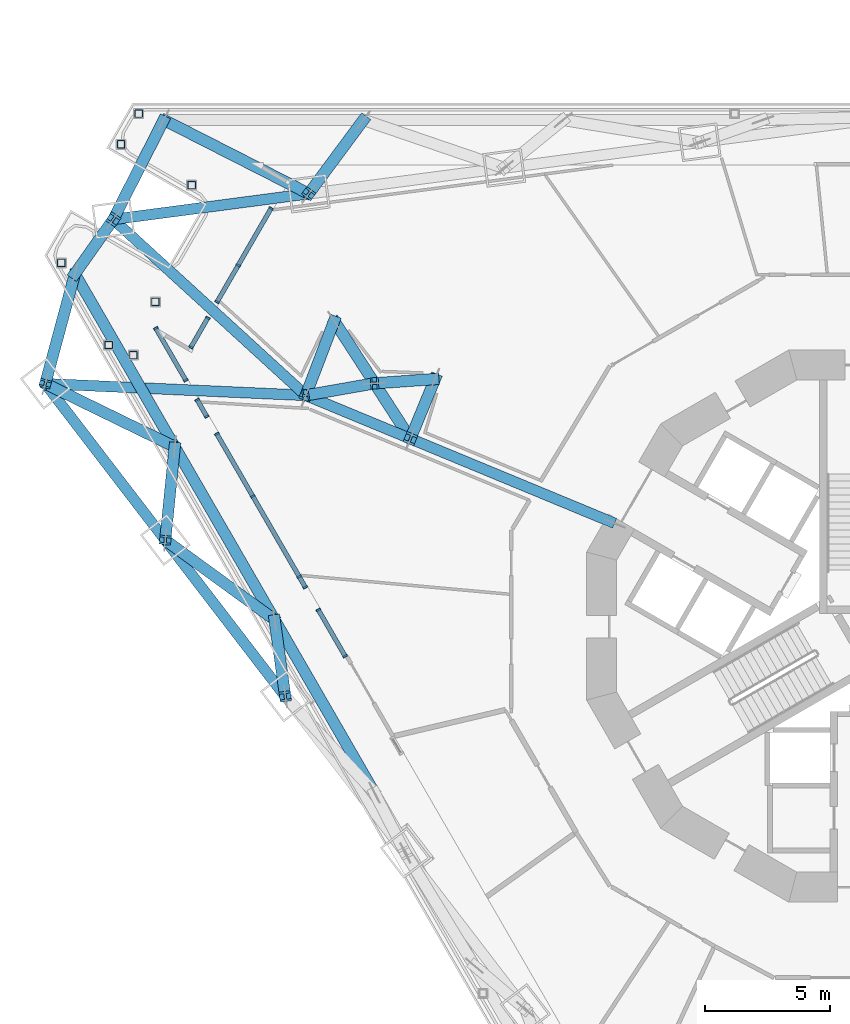
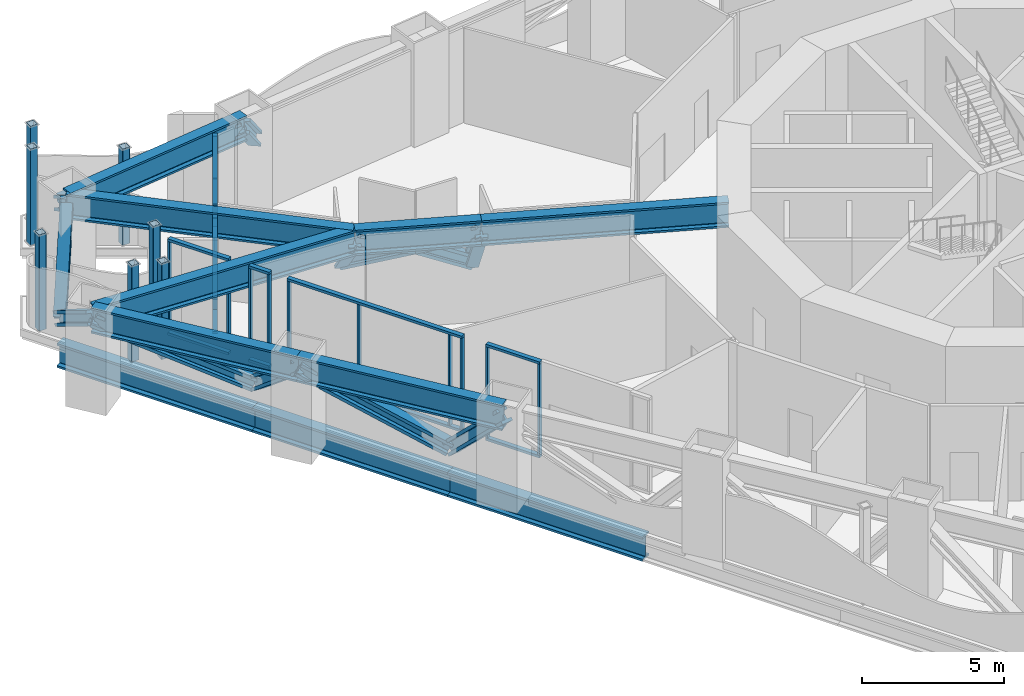
# One storey, part 3 of 28: 54 members, 4 beams, 6 elements without a shape of their own.
"""IFC4 building model written with IfcOpenShell, lengths in metres."""

import ifcopenshell
import ifcopenshell.guid

model = None  # the IFC model being written
_history = None  # IfcOwnerHistory: only IFC2X3 demands one
_inside = {}  # id of a spatial element -> (the spatial element, [elements in it])
_under = {}  # id of a project, library or spatial element -> (it, [spatial elements below it])
_declared = {}  # id of a project -> (the project, [libraries it declares])
_typed = {}  # id of a type object -> (the type object, [elements of that type])
_made_of = {}  # id of a material, layer set ... -> (it, [elements and type objects made of it])


def new_model(schema):
    """Start an empty IFC model of exactly this schema.

    Asked for "IFC4X3", IfcOpenShell would pick the latest addendum, in which some entities
    have other attributes; the version numbers below select the first issue.
    IFC2X3 requires an IfcOwnerHistory on every rooted entity: one is made here for all.
    """
    global model, _history
    if schema == "IFC4X3":
        model = ifcopenshell.file(schema_version=(4, 3, 0, 0))
    else:
        model = ifcopenshell.file(schema=schema)
    _inside.clear()
    _under.clear()
    _declared.clear()
    _typed.clear()
    _made_of.clear()
    _history = None
    if model.schema == "IFC2X3":
        org = make("IfcOrganization", Name="unknown")
        user = make(
            "IfcPersonAndOrganization",
            ThePerson=make("IfcPerson", FamilyName="unknown"),
            TheOrganization=org,
        )
        app = make(
            "IfcApplication",
            ApplicationDeveloper=org,
            Version="unknown",
            ApplicationFullName="unknown",
            ApplicationIdentifier="unknown",
        )
        _history = make(
            "IfcOwnerHistory",
            OwningUser=user,
            OwningApplication=app,
            ChangeAction="ADDED",
            CreationDate=0,
        )
    return model


def make(cls, **values):
    """One entity of the class cls with the attributes given. An attribute that is None is left unset."""
    return model.create_entity(
        cls, **{name: value for name, value in values.items() if value is not None}
    )


def rooted(cls, **values):
    """An entity with a GlobalId (a new one), such as an element, a storey or a relation."""
    return make(cls, GlobalId=ifcopenshell.guid.new(), OwnerHistory=_history, **values)


def si_unit(unit_type, name, prefix=None):
    """IfcSIUnit, for example si_unit("LENGTHUNIT", "METRE", prefix="MILLI")."""
    return make("IfcSIUnit", UnitType=unit_type, Prefix=prefix, Name=name)


def assignment(units):
    """IfcUnitAssignment: the units of a project."""
    return None if units is None else make("IfcUnitAssignment", Units=units)


def point(xyz):
    """IfcCartesianPoint."""
    return None if xyz is None else make("IfcCartesianPoint", Coordinates=xyz)


def direction(xyz):
    """IfcDirection."""
    return None if xyz is None else make("IfcDirection", DirectionRatios=xyz)


def frame(location, z_axis=None, x_axis=None):
    """IfcAxis2Placement3D, a coordinate frame: its origin and axes. An axis left out is left unset."""
    return make(
        "IfcAxis2Placement3D",
        Location=point(location),
        Axis=direction(z_axis),
        RefDirection=direction(x_axis),
    )


def frame_2d(location, x_axis=None):
    """IfcAxis2Placement2D, a coordinate frame in the plane: its origin and x axis."""
    return make(
        "IfcAxis2Placement2D", Location=point(location), RefDirection=direction(x_axis)
    )


def origin():
    """The frame at (0, 0, 0) with its axes left unset."""
    return frame((0.0, 0.0, 0.0))


def origin_2d():
    """The frame at (0, 0) in the plane with its x axis left unset."""
    return frame_2d((0.0, 0.0))


def place(relative_to, where):
    """IfcLocalPlacement: puts the frame where relative to a parent placement (None: the world)."""
    return make(
        "IfcLocalPlacement", PlacementRelTo=relative_to, RelativePlacement=where
    )


def context(
    kind, dimensions, precision=None, world=None, true_north=None, identifier=None
):
    """IfcGeometricRepresentationContext, for example the 3D "Model" context."""
    return make(
        "IfcGeometricRepresentationContext",
        ContextIdentifier=identifier,
        ContextType=kind,
        CoordinateSpaceDimension=dimensions,
        Precision=precision,
        WorldCoordinateSystem=world,
        TrueNorth=true_north,
    )


def subcontext(parent, identifier, kind, view, scale=None):
    """IfcGeometricRepresentationSubContext, for example "Body" below "Model"."""
    return make(
        "IfcGeometricRepresentationSubContext",
        ContextIdentifier=identifier,
        ContextType=kind,
        ParentContext=parent,
        TargetScale=scale,
        TargetView=view,
    )


def project(units=None, contexts=None):
    """IfcProject with its units and contexts."""
    return rooted(
        "IfcProject",
        Name="project",
        RepresentationContexts=contexts,
        UnitsInContext=assignment(units),
    )


def spatial(cls, under=None, at=None, **own):
    """A site, building, storey or space (cls), placed at a placement, below another one or the project."""
    s = rooted(cls, ObjectPlacement=at, **own)
    if under is not None:
        _under.setdefault(under.id(), (under, []))[1].append(s)
    return s


def profile(cls, at=None, kind="AREA", **sizes):
    """A parametric profile (cls). Its sizes go by their IFC names, for example OverallWidth=200.0."""
    return make(cls, ProfileType=kind, Position=at, **sizes)


def rectangle(**sizes):
    """IfcRectangleProfileDef."""
    return profile("IfcRectangleProfileDef", **sizes)


def hollow_rectangle(**sizes):
    """IfcRectangleHollowProfileDef."""
    return profile("IfcRectangleHollowProfileDef", **sizes)


def i_section(**sizes):
    """IfcIShapeProfileDef."""
    return profile("IfcIShapeProfileDef", **sizes)


def extrude(swept, where, along, depth):
    """IfcExtrudedAreaSolid: the profile swept, set in the frame where, extruded along a direction by depth."""
    return make(
        "IfcExtrudedAreaSolid",
        SweptArea=swept,
        Position=where,
        ExtrudedDirection=direction(along),
        Depth=depth,
    )


def shape(context_of_items, identifier, shape_type, items):
    """IfcShapeRepresentation: the items that make up one representation, for example the "Body"."""
    return make(
        "IfcShapeRepresentation",
        ContextOfItems=context_of_items,
        RepresentationIdentifier=identifier,
        RepresentationType=shape_type,
        Items=items,
    )


def material(Name=None, Category=None):
    """IfcMaterial."""
    return make("IfcMaterial", Name=Name, Category=Category)


def layer(
    of_material, thickness, ventilated=None, Name=None, Category=None, Priority=None
):
    """IfcMaterialLayer: one layer of a wall or slab, of a material (None: an air gap)."""
    return make(
        "IfcMaterialLayer",
        Material=of_material,
        LayerThickness=thickness,
        IsVentilated=ventilated,
        Name=Name,
        Category=Category,
        Priority=Priority,
    )


def layer_set(layers, Name=None):
    """IfcMaterialLayerSet."""
    return make("IfcMaterialLayerSet", MaterialLayers=layers, LayerSetName=Name)


def material_profile(
    of_material, cross_section, Name=None, Category=None, Priority=None
):
    """IfcMaterialProfile: a cross section and its material."""
    return make(
        "IfcMaterialProfile",
        Name=Name,
        Material=of_material,
        Profile=cross_section,
        Priority=Priority,
        Category=Category,
    )


def profile_set(profiles, Name=None, composite=None):
    """IfcMaterialProfileSet."""
    return make(
        "IfcMaterialProfileSet",
        Name=Name,
        MaterialProfiles=profiles,
        CompositeProfile=composite,
    )


def made_of(thing, what):
    """Note that an element or type object is made of a material, layer set ...; save() writes the relation."""
    if what is not None:
        _made_of.setdefault(what.id(), (what, []))[1].append(thing)
    return thing


def type_object(cls, material=None, **own):
    """A type object (cls), such as IfcWallType, which elements share."""
    return made_of(rooted(cls, **own), material)


def element(
    cls,
    number,
    at=None,
    inside=None,
    cuts=None,
    type_object=None,
    material=None,
    context=None,
    identifier="Body",
    shape_type=None,
    held_by="IfcProductDefinitionShape",
    body=None,
    shapes=None,
    **own,
):
    """One element of the class cls, such as IfcWall. Its Tag is "e" and its number.

    at: its placement. inside: the storey or other place that contains it. cuts: it is an
    opening in that element (IfcRelVoidsElement). A single representation is given by context,
    identifier, shape_type and body (its items); several are given by shapes. held_by: the class
    of the entity that holds the representations. save() writes the other relations.
    """
    e = rooted(cls, Tag="e%d" % number, ObjectPlacement=at, **own)
    if body is not None:
        shapes = [shape(context, identifier, shape_type, body)]
    if shapes is not None:
        e.Representation = make(held_by, Representations=shapes)
    if inside is not None:
        _inside.setdefault(inside.id(), (inside, []))[1].append(e)
    if cuts is not None:
        rooted(
            "IfcRelVoidsElement", RelatingBuildingElement=cuts, RelatedOpeningElement=e
        )
    if type_object is not None:
        _typed.setdefault(type_object.id(), (type_object, []))[1].append(e)
    return made_of(e, material)


def aggregate(whole, parts):
    """IfcRelAggregates: a whole, such as a stair, and the parts it consists of."""
    return rooted("IfcRelAggregates", RelatingObject=whole, RelatedObjects=parts)


def save(model, path):
    """Write the relations noted so far, then the file.

    IfcRelAggregates (storeys below a building ...), IfcRelContainedInSpatialStructure (elements
    in a storey), IfcRelDefinesByType, IfcRelAssociatesMaterial and IfcRelDeclares: one each for
    every whole, place, type object, material and project.
    """
    for whole, parts in _under.values():
        aggregate(whole, parts)
    for where, things in _inside.values():
        rooted(
            "IfcRelContainedInSpatialStructure",
            RelatedElements=things,
            RelatingStructure=where,
        )
    for kind, things in _typed.values():
        rooted("IfcRelDefinesByType", RelatedObjects=things, RelatingType=kind)
    for what, things in _made_of.values():
        rooted("IfcRelAssociatesMaterial", RelatedObjects=things, RelatingMaterial=what)
    for by, libraries in _declared.values():
        rooted("IfcRelDeclares", RelatingContext=by, RelatedDefinitions=libraries)
    model.write(path)


model = new_model("IFC4")

# Units and contexts
model_context = context("Model", 3, precision=1e-05, world=origin(), true_north=direction((0.0, 1.0)))
body_context = subcontext(model_context, "Body", "Model", "MODEL_VIEW")
ifc_project = project(units=[si_unit("LENGTHUNIT", "METRE"), si_unit("AREAUNIT", "SQUARE_METRE"), si_unit("VOLUMEUNIT", "CUBIC_METRE"), si_unit("PLANEANGLEUNIT", "RADIAN"), si_unit("MASSUNIT", "GRAM", prefix="KILO")], contexts=[model_context])

# Site, building, storey
site_placement = place(None, origin())
site = spatial("IfcSite", under=ifc_project, at=site_placement, CompositionType="ELEMENT")
building_placement = place(site_placement, origin())
building = spatial("IfcBuilding", under=site, at=building_placement, Name="Trine Commons Tower", CompositionType="ELEMENT")
storey_placement = place(building_placement, frame((0.0, 0.0, 45.89990234375)))
storey = spatial("IfcBuildingStorey", under=building, at=storey_placement, Name="L10", CompositionType="ELEMENT", Elevation=45.89990234375)

# Curtain wall, members
ifc_material_1 = material(Name="Sky lounge glazing: anodised aluminium frame with low-emissivity double glazed unit, solar control", Category="aluminium")
ifc_layer = layer(ifc_material_1, 0.179931640625)
ifc_layer_set = layer_set([ifc_layer], Name="Sky lounge glazing: anodised aluminium frame with low-emissivity double glazed unit, solar control")
curtain_wall_type = type_object("IfcCurtainWallType", Name="Sky lounge glazing curtain wall CW5", PredefinedType="NOTDEFINED", material=ifc_layer_set)
curtain_wall_1_placement = place(storey_placement, origin())
curtain_wall_1 = element("IfcCurtainWall", 1, at=curtain_wall_1_placement, inside=storey, type_object=curtain_wall_type, Name="Sky lounge glazing L10 P1.1", PredefinedType="NOTDEFINED")
ifc_material_2 = material(Name="Anodised aluminium, bronze finish", Category="aluminium")
ifc_material_profile_1 = material_profile(ifc_material_2, rectangle(XDim=0.179931640625, YDim=0.074951171875, at=origin_2d()), Name="Mullion 75x180")
ifc_profile_set_1 = profile_set([ifc_material_profile_1], Name="Anodised aluminium, bronze finish")
member_type_1 = type_object("IfcMemberType", Name="Mullion 75x180, Anodised aluminium, bronze finish", PredefinedType="MULLION", material=ifc_profile_set_1)
member_1_placement = place(storey_placement, frame((53.21240234375, 73.62109375, 0.110107421875), z_axis=(0.0, 0.0, 1.0), x_axis=(-0.866025403784, 0.5, 0.0)))
member_1 = element("IfcMember", 2, at=member_1_placement, type_object=member_type_1, Name="CW5 mullion 1.1", PredefinedType="MULLION", context=body_context, shape_type="SweptSolid", body=[
    extrude(rectangle(XDim=0.179931640625, YDim=0.074951171875, at=origin_2d()), origin(), (0.0, 0.0, 1.0), 3.929931640625),
])
member_2_placement = place(storey_placement, frame((53.885009765625, 74.785888671875, 0.110107421875), z_axis=(0.0, 0.0, 1.0), x_axis=(-0.866025403784, 0.5, 0.0)))
member_2 = element("IfcMember", 3, at=member_2_placement, type_object=member_type_1, Name="CW5 mullion 2.1", PredefinedType="MULLION", context=body_context, shape_type="SweptSolid", body=[
    extrude(rectangle(XDim=0.179931640625, YDim=0.074951171875, at=origin_2d()), origin(), (0.0, 0.0, 1.0), 3.929931640625),
])

curtain_wall_2_placement = place(storey_placement, origin())
curtain_wall_2 = element("IfcCurtainWall", 4, at=curtain_wall_2_placement, inside=storey, type_object=curtain_wall_type, Name="Sky lounge glazing L10 P1.2", PredefinedType="NOTDEFINED")
member_3_placement = place(storey_placement, frame((54.2529296875, 75.42333984375, 0.110107421875), z_axis=(0.0, 0.0, 1.0), x_axis=(-0.866025403784, 0.5, 0.0)))
member_3 = element("IfcMember", 5, at=member_3_placement, type_object=member_type_1, Name="CW5 mullion 1.1", PredefinedType="MULLION", context=body_context, shape_type="SweptSolid", body=[
    extrude(rectangle(XDim=0.179931640625, YDim=0.074951171875, at=origin_2d()), origin(), (0.0, 0.0, 1.0), 3.929931640625),
])
member_4_placement = place(storey_placement, frame((55.09375, 76.879638671875, 0.110107421875), z_axis=(0.0, 0.0, 1.0), x_axis=(-0.866025403784, 0.5, 0.0)))
member_4 = element("IfcMember", 6, at=member_4_placement, type_object=member_type_1, Name="CW5 mullion 2.1", PredefinedType="MULLION", context=body_context, shape_type="SweptSolid", body=[
    extrude(rectangle(XDim=0.179931640625, YDim=0.074951171875, at=origin_2d()), origin(), (0.0, 0.0, 1.0), 3.929931640625),
])
member_5_placement = place(storey_placement, frame((56.406005859375, 79.152587890625, 0.110107421875), z_axis=(0.0, 0.0, 1.0), x_axis=(-0.866025403784, 0.5, 0.0)))
member_5 = element("IfcMember", 7, at=member_5_placement, type_object=member_type_1, Name="CW5 mullion 3.1", PredefinedType="MULLION", context=body_context, shape_type="SweptSolid", body=[
    extrude(rectangle(XDim=0.179931640625, YDim=0.074951171875, at=origin_2d()), origin(), (0.0, 0.0, 1.0), 3.929931640625),
])

curtain_wall_3_placement = place(storey_placement, origin())
curtain_wall_3 = element("IfcCurtainWall", 8, at=curtain_wall_3_placement, inside=storey, type_object=curtain_wall_type, Name="Sky lounge glazing L10 F3.2", PredefinedType="NOTDEFINED")
member_6_placement = place(storey_placement, frame((59.3583984375, 61.30322265625, 0.110107421875), z_axis=(0.0, 0.0, 1.0), x_axis=(-0.866025403784, -0.5, 0.0)))
member_6 = element("IfcMember", 9, at=member_6_placement, type_object=member_type_1, Name="CW5 mullion 1.1", PredefinedType="MULLION", context=body_context, shape_type="SweptSolid", body=[
    extrude(rectangle(XDim=0.179931640625, YDim=0.074951171875, at=origin_2d()), origin(), (0.0, 0.0, 1.0), 3.929931640625),
])
member_7_placement = place(storey_placement, frame((58.29541015625, 63.14404296875, 0.110107421875), z_axis=(0.0, 0.0, 1.0), x_axis=(-0.866025403784, -0.5, 0.0)))
member_7 = element("IfcMember", 10, at=member_7_placement, type_object=member_type_1, Name="CW5 mullion 2.1", PredefinedType="MULLION", context=body_context, shape_type="SweptSolid", body=[
    extrude(rectangle(XDim=0.179931640625, YDim=0.074951171875, at=origin_2d()), origin(), (0.0, 0.0, 1.0), 3.929931640625),
])

curtain_wall_4_placement = place(storey_placement, origin())
curtain_wall_4 = element("IfcCurtainWall", 11, at=curtain_wall_4_placement, inside=storey, type_object=curtain_wall_type, Name="Sky lounge glazing L10 F3.3", PredefinedType="NOTDEFINED")
member_8_placement = place(storey_placement, frame((57.77490234375, 64.045654296875, 0.110107421875), z_axis=(0.0, 0.0, 1.0), x_axis=(-0.866025403784, -0.5, 0.0)))
member_8 = element("IfcMember", 12, at=member_8_placement, type_object=member_type_1, Name="CW5 mullion 1.1", PredefinedType="MULLION", context=body_context, shape_type="SweptSolid", body=[
    extrude(rectangle(XDim=0.179931640625, YDim=0.074951171875, at=origin_2d()), origin(), (0.0, 0.0, 1.0), 3.929931640625),
])
member_9_placement = place(storey_placement, frame((57.527587890625, 64.47412109375, 0.110107421875), z_axis=(0.0, 0.0, 1.0), x_axis=(-0.866025403784, -0.5, 0.0)))
member_9 = element("IfcMember", 13, at=member_9_placement, type_object=member_type_1, Name="CW5 mullion 2.1", PredefinedType="MULLION", context=body_context, shape_type="SweptSolid", body=[
    extrude(rectangle(XDim=0.179931640625, YDim=0.074951171875, at=origin_2d()), origin(), (0.0, 0.0, 1.0), 3.929931640625),
])
member_10_placement = place(storey_placement, frame((55.677978515625, 67.677490234375, 0.110107421875), z_axis=(0.0, 0.0, 1.0), x_axis=(-0.866025403784, -0.5, 0.0)))
member_10 = element("IfcMember", 14, at=member_10_placement, type_object=member_type_1, Name="CW5 mullion 3.1", PredefinedType="MULLION", context=body_context, shape_type="SweptSolid", body=[
    extrude(rectangle(XDim=0.179931640625, YDim=0.074951171875, at=origin_2d()), origin(), (0.0, 0.0, 1.0), 3.929931640625),
])
member_11_placement = place(storey_placement, frame((54.24560546875, 70.158935546875, 0.110107421875), z_axis=(0.0, 0.0, 1.0), x_axis=(-0.866025403784, -0.5, 0.0)))
member_11 = element("IfcMember", 15, at=member_11_placement, type_object=member_type_1, Name="CW5 mullion 4.1", PredefinedType="MULLION", context=body_context, shape_type="SweptSolid", body=[
    extrude(rectangle(XDim=0.179931640625, YDim=0.074951171875, at=origin_2d()), origin(), (0.0, 0.0, 1.0), 3.929931640625),
])

curtain_wall_5_placement = place(storey_placement, origin())
curtain_wall_5 = element("IfcCurtainWall", 16, at=curtain_wall_5_placement, inside=storey, type_object=curtain_wall_type, Name="Sky lounge glazing L10 F3.4", PredefinedType="NOTDEFINED")
member_12_placement = place(storey_placement, frame((53.841796875, 70.85791015625, 0.110107421875), z_axis=(0.0, 0.0, 1.0), x_axis=(-0.866025403784, -0.5, 0.0)))
member_12 = element("IfcMember", 17, at=member_12_placement, type_object=member_type_1, Name="CW5 mullion 1.1", PredefinedType="MULLION", context=body_context, shape_type="SweptSolid", body=[
    extrude(rectangle(XDim=0.179931640625, YDim=0.074951171875, at=origin_2d()), origin(), (0.0, 0.0, 1.0), 3.929931640625),
])
member_13_placement = place(storey_placement, frame((53.459716796875, 71.52001953125, 0.110107421875), z_axis=(0.0, 0.0, 1.0), x_axis=(-0.866025403784, -0.5, 0.0)))
member_13 = element("IfcMember", 18, at=member_13_placement, type_object=member_type_1, Name="CW5 mullion 2.1", PredefinedType="MULLION", context=body_context, shape_type="SweptSolid", body=[
    extrude(rectangle(XDim=0.179931640625, YDim=0.074951171875, at=origin_2d()), origin(), (0.0, 0.0, 1.0), 3.929931640625),
])

curtain_wall_6_placement = place(storey_placement, origin())
curtain_wall_6 = element("IfcCurtainWall", 19, at=curtain_wall_6_placement, inside=storey, type_object=curtain_wall_type, Name="Sky lounge glazing L10 F3.5", PredefinedType="NOTDEFINED")
member_14_placement = place(storey_placement, frame((53.01025390625, 72.29833984375, 0.110107421875), z_axis=(0.0, 0.0, 1.0), x_axis=(-0.866025403784, -0.5, 0.0)))
member_14 = element("IfcMember", 20, at=member_14_placement, type_object=member_type_1, Name="CW5 mullion 1.1", PredefinedType="MULLION", context=body_context, shape_type="SweptSolid", body=[
    extrude(rectangle(XDim=0.179931640625, YDim=0.074951171875, at=origin_2d()), origin(), (0.0, 0.0, 1.0), 3.929931640625),
])
member_15_placement = place(storey_placement, frame((51.81103515625, 74.37548828125, 0.110107421875), z_axis=(0.0, 0.0, 1.0), x_axis=(-0.866025403784, -0.5, 0.0)))
member_15 = element("IfcMember", 21, at=member_15_placement, type_object=member_type_1, Name="CW5 mullion 2.1", PredefinedType="MULLION", context=body_context, shape_type="SweptSolid", body=[
    extrude(rectangle(XDim=0.179931640625, YDim=0.074951171875, at=origin_2d()), origin(), (0.0, 0.0, 1.0), 3.929931640625),
])

# Beams
ifc_material_3 = material(Name="Structural steel ASTM A992 Gr50", Category="steel")
ifc_material_profile_2 = material_profile(ifc_material_3, i_section(OverallWidth=0.42529296875, OverallDepth=1.09228515625, WebThickness=0.04541015625, FlangeThickness=0.08203125, FilletRadius=0.030029296875, at=origin_2d()), Name="W40X593")
ifc_profile_set_2 = profile_set([ifc_material_profile_2], Name="Structural steel ASTM A992 Gr50")
beam_type = type_object("IfcBeamType", Name="Steel beam W40X593, ASTM A992 Gr50", PredefinedType="BEAM", material=ifc_profile_set_2)
for number, where, z_axis, x_axis, name in (
    (22, (47.4033203125, 72.16552734375, 3.60400390625), (0.998993990037, -0.044844262403, 0.0), (0.044844262403, 0.998993990037, 0.0), "Transfer truss girder T1-UV-01"),
    (23, (50.1162109375, 78.71484375, 3.60400390625), (0.738103639023, -0.674687348378, 0.0), (0.674687348378, 0.738103639023, 0.0), "Transfer truss girder T1-UV-02"),
):
    element("IfcBeam", number, at=place(storey_placement, frame(where, z_axis=z_axis, x_axis=x_axis)), inside=storey, type_object=beam_type, Name=name, PredefinedType="BEAM", context=body_context, shape_type="SweptSolid", body=[
        extrude(i_section(OverallWidth=0.42529296875, OverallDepth=1.09228515625, WebThickness=0.04541015625, FlangeThickness=0.08203125, FilletRadius=0.030029296875, at=origin_2d()), origin(), (0.0, 0.0, 1.0), 10.3984375),
    ])
beam_1_placement = place(storey_placement, frame((70.1083984375, 66.59716796875, 3.60400390625), z_axis=(-0.92387540704, 0.382693391981, 0.0), x_axis=(-0.382693391981, -0.92387540704, 0.0)))
element("IfcBeam", 24, at=beam_1_placement, inside=storey, type_object=beam_type, Name="Transfer truss girder T1-UR-05", PredefinedType="BEAM", context=body_context, shape_type="SweptSolid", body=[
    extrude(i_section(OverallWidth=0.42529296875, OverallDepth=1.09228515625, WebThickness=0.04541015625, FlangeThickness=0.08203125, FilletRadius=0.030029296875, at=origin_2d()), origin(), (0.0, 0.0, 1.0), 8.81591796875),
])
beam_2_placement = place(storey_placement, frame((61.963623046875, 69.970947265625, 3.60400390625), z_axis=(-0.923877808151, 0.382687595313, 0.0), x_axis=(-0.382687595313, -0.923877808151, 0.0)))
element("IfcBeam", 25, at=beam_2_placement, inside=storey, type_object=beam_type, Name="Transfer truss girder T1-UR-06", PredefinedType="BEAM", context=body_context, shape_type="SweptSolid", body=[
    extrude(i_section(OverallWidth=0.42529296875, OverallDepth=1.09228515625, WebThickness=0.04541015625, FlangeThickness=0.08203125, FilletRadius=0.030029296875, at=origin_2d()), origin(), (0.0, 0.0, 1.0), 4.51611328125),
])

# Members
ifc_material_profile_3 = material_profile(ifc_material_3, i_section(OverallWidth=0.4541015625, OverallDepth=0.568359375, WebThickness=0.077880859375, FlangeThickness=0.124755859375, FilletRadius=0.015380859375, at=origin_2d()), Name="W14X730")
ifc_profile_set_3 = profile_set([ifc_material_profile_3], Name="Structural steel ASTM A992 Gr50")
member_type_2 = type_object("IfcMemberType", Name="Steel brace W14X730, ASTM A992 Gr50", PredefinedType="BRACE", material=ifc_profile_set_3)
member_16_placement = place(storey_placement, frame((56.547119140625, 62.75244140625, 0.520751953125), z_axis=(0.097726010092, -0.700975748403, 0.706457802776), x_axis=(0.990421241056, 0.138078837134, 0.0)))
element("IfcMember", 26, at=member_16_placement, inside=storey, type_object=member_type_2, Name="Transfer truss brace T1-DG-11", PredefinedType="BRACE", context=body_context, shape_type="SweptSolid", body=[
    extrude(i_section(OverallWidth=0.4541015625, OverallDepth=0.568359375, WebThickness=0.077880859375, FlangeThickness=0.124755859375, FilletRadius=0.015380859375, at=origin_2d()), origin(), (0.0, 0.0, 1.0), 4.364501953125),
])
member_17_placement = place(storey_placement, frame((52.5654296875, 69.64892578125, 0.520751953125), z_axis=(-0.077784483491, -0.767567610407, 0.636230726689), x_axis=(0.99490442387, -0.10082255385, 0.0)))
element("IfcMember", 27, at=member_17_placement, inside=storey, type_object=member_type_2, Name="Transfer truss brace T1-DG-13", PredefinedType="BRACE", context=body_context, shape_type="SweptSolid", body=[
    extrude(i_section(OverallWidth=0.4541015625, OverallDepth=0.568359375, WebThickness=0.077880859375, FlangeThickness=0.124755859375, FilletRadius=0.015380859375, at=origin_2d()), origin(), (0.0, 0.0, 1.0), 4.84619140625),
])
member_18_placement = place(storey_placement, frame((56.547119140625, 62.75244140625, 0.520751953125), z_axis=(-0.701584716695, 0.511343770438, 0.496292689584), x_axis=(-0.589000367025, -0.8081327661, 0.0)))
element("IfcMember", 28, at=member_18_placement, inside=storey, type_object=member_type_2, Name="Transfer truss brace T1-DG-14", PredefinedType="BRACE", context=body_context, shape_type="SweptSolid", body=[
    extrude(i_section(OverallWidth=0.4541015625, OverallDepth=0.568359375, WebThickness=0.077880859375, FlangeThickness=0.124755859375, FilletRadius=0.015380859375, at=origin_2d()), origin(), (0.0, 0.0, 1.0), 6.212646484375),
])
member_19_placement = place(storey_placement, frame((48.583740234375, 76.54541015625, 0.520751953125), z_axis=(-0.215215954049, -0.798546890515, 0.562143181735), x_axis=(0.965548171325, -0.260224381737, 0.0)))
element("IfcMember", 29, at=member_19_placement, inside=storey, type_object=member_type_2, Name="Transfer truss brace T1-DG-15", PredefinedType="BRACE", context=body_context, shape_type="SweptSolid", body=[
    extrude(i_section(OverallWidth=0.4541015625, OverallDepth=0.568359375, WebThickness=0.077880859375, FlangeThickness=0.124755859375, FilletRadius=0.015380859375, at=origin_2d()), origin(), (0.0, 0.0, 1.0), 5.48486328125),
])
member_20_placement = place(storey_placement, frame((52.5654296875, 69.64892578125, 0.520751953125), z_axis=(-0.791951638447, 0.386087660287, 0.473021057602), x_axis=(-0.438212551774, -0.898871380937, 0.0)))
element("IfcMember", 30, at=member_20_placement, inside=storey, type_object=member_type_2, Name="Transfer truss brace T1-DG-16", PredefinedType="BRACE", context=body_context, shape_type="SweptSolid", body=[
    extrude(i_section(OverallWidth=0.4541015625, OverallDepth=0.568359375, WebThickness=0.077880859375, FlangeThickness=0.124755859375, FilletRadius=0.015380859375, at=origin_2d()), origin(), (0.0, 0.0, 1.0), 6.518310546875),
])
member_21_placement = place(storey_placement, frame((48.583740234375, 76.54541015625, 0.520751953125), z_axis=(0.37656876799, 0.533087473692, 0.757636923841), x_axis=(-0.816771670471, 0.576961037086, 0.0)))
element("IfcMember", 31, at=member_21_placement, inside=storey, type_object=member_type_2, Name="Transfer truss brace T1-DG-17", PredefinedType="BRACE", context=body_context, shape_type="SweptSolid", body=[
    extrude(i_section(OverallWidth=0.4541015625, OverallDepth=0.568359375, WebThickness=0.077880859375, FlangeThickness=0.124755859375, FilletRadius=0.015380859375, at=origin_2d()), origin(), (0.0, 0.0, 1.0), 4.069580078125),
])
member_22_placement = place(storey_placement, frame((52.128173828125, 82.6845703125, 0.520751953125), z_axis=(-0.371611033831, -0.733211431877, 0.569478915939), x_axis=(0.891978265353, -0.452078283196, 0.0)))
element("IfcMember", 32, at=member_22_placement, inside=storey, type_object=member_type_2, Name="Transfer truss brace T1-DG-18", PredefinedType="BRACE", context=body_context, shape_type="SweptSolid", body=[
    extrude(i_section(OverallWidth=0.4541015625, OverallDepth=0.568359375, WebThickness=0.077880859375, FlangeThickness=0.124755859375, FilletRadius=0.015380859375, at=origin_2d()), origin(), (0.0, 0.0, 1.0), 5.4140625),
])
member_23_placement = place(storey_placement, frame((60.091552734375, 82.6845703125, 0.520751953125), z_axis=(-0.455710588408, -0.614666356911, 0.643826940485), x_axis=(0.803305726314, -0.595566881274, 0.0)))
element("IfcMember", 33, at=member_23_placement, inside=storey, type_object=member_type_2, Name="Transfer truss brace T1-DG-19", PredefinedType="BRACE", context=body_context, shape_type="SweptSolid", body=[
    extrude(i_section(OverallWidth=0.4541015625, OverallDepth=0.568359375, WebThickness=0.077880859375, FlangeThickness=0.124755859375, FilletRadius=0.015380859375, at=origin_2d()), origin(), (0.0, 0.0, 1.0), 4.7890625),
])
member_24_placement = place(storey_placement, frame((52.128173828125, 82.6845703125, 0.520751953125), z_axis=(0.80485062839, -0.409818152223, 0.429260466487), x_axis=(0.453749879032, 0.891129085643, 0.0)))
element("IfcMember", 34, at=member_24_placement, inside=storey, type_object=member_type_2, Name="Transfer truss brace T1-DG-20", PredefinedType="BRACE", context=body_context, shape_type="SweptSolid", body=[
    extrude(i_section(OverallWidth=0.4541015625, OverallDepth=0.568359375, WebThickness=0.077880859375, FlangeThickness=0.124755859375, FilletRadius=0.015380859375, at=origin_2d()), origin(), (0.0, 0.0, 1.0), 7.1826171875),
])
member_25_placement = place(storey_placement, frame((62.94189453125, 72.348388671875, 0.520751953125), z_axis=(-0.243688483237, -0.592223221802, 0.768041391265), x_axis=(0.924770507704, -0.38052530544, 0.0)))
element("IfcMember", 35, at=member_25_placement, inside=storey, type_object=member_type_2, Name="Transfer truss brace T1-DG-57", PredefinedType="BRACE", context=body_context, shape_type="SweptSolid", body=[
    extrude(i_section(OverallWidth=0.4541015625, OverallDepth=0.568359375, WebThickness=0.077880859375, FlangeThickness=0.124755859375, FilletRadius=0.015380859375, at=origin_2d()), origin(), (0.0, 0.0, 1.0), 4.014404296875),
])
member_26_placement = place(storey_placement, frame((58.9228515625, 74.6689453125, 0.520751953125), z_axis=(0.475911757824, -0.735284621101, 0.48256038455), x_axis=(0.839497581322, 0.543363424381, 0.0)))
element("IfcMember", 36, at=member_26_placement, inside=storey, type_object=member_type_2, Name="Transfer truss brace T1-DG-58", PredefinedType="BRACE", context=body_context, shape_type="SweptSolid", body=[
    extrude(i_section(OverallWidth=0.4541015625, OverallDepth=0.568359375, WebThickness=0.077880859375, FlangeThickness=0.124755859375, FilletRadius=0.015380859375, at=origin_2d()), origin(), (0.0, 0.0, 1.0), 6.389404296875),
])
member_27_placement = place(storey_placement, frame((58.9228515625, 74.6689453125, 0.520751953125), z_axis=(-0.255559995517, -0.670686469356, 0.696325174408), x_axis=(0.934459741542, -0.356068801549, 0.0)))
element("IfcMember", 37, at=member_27_placement, inside=storey, type_object=member_type_2, Name="Transfer truss brace T1-DG-59", PredefinedType="BRACE", context=body_context, shape_type="SweptSolid", body=[
    extrude(i_section(OverallWidth=0.4541015625, OverallDepth=0.568359375, WebThickness=0.077880859375, FlangeThickness=0.124755859375, FilletRadius=0.015380859375, at=origin_2d()), origin(), (0.0, 0.0, 1.0), 4.427978515625),
])
member_28_placement = place(storey_placement, frame((62.94189453125, 72.348388671875, 0.520751953125), z_axis=(-0.826187225229, -0.057792902008, 0.560423633821), x_axis=(0.06978082114, -0.997562347425, 0.0)))
element("IfcMember", 38, at=member_28_placement, inside=storey, type_object=member_type_2, Name="Transfer truss brace T1-DG-60a", PredefinedType="BRACE", context=body_context, shape_type="SweptSolid", body=[
    extrude(i_section(OverallWidth=0.4541015625, OverallDepth=0.568359375, WebThickness=0.077880859375, FlangeThickness=0.124755859375, FilletRadius=0.015380859375, at=origin_2d()), origin(), (0.0, 0.0, 1.0), 2.914794921875),
])
member_29_placement = place(storey_placement, frame((60.53369140625, 72.179931640625, 2.154296875), z_axis=(-0.873648785739, -0.153139362514, 0.461829118643), x_axis=(0.172654710947, -0.98498241141, 0.0)))
element("IfcMember", 39, at=member_29_placement, inside=storey, type_object=member_type_2, Name="Transfer truss brace T1-DG-60b", PredefinedType="BRACE", context=body_context, shape_type="SweptSolid", body=[
    extrude(i_section(OverallWidth=0.4541015625, OverallDepth=0.568359375, WebThickness=0.077880859375, FlangeThickness=0.124755859375, FilletRadius=0.015380859375, at=origin_2d()), origin(), (0.0, 0.0, 1.0), 3.13916015625),
])
ifc_material_profile_4 = material_profile(ifc_material_3, i_section(OverallWidth=0.44775390625, OverallDepth=1.04150390625, WebThickness=0.050048828125, FlangeThickness=0.08984375, FilletRadius=0.024169921875, at=origin_2d()), Name="W36X652")
ifc_profile_set_4 = profile_set([ifc_material_profile_4], Name="Structural steel ASTM A992 Gr50")
member_type_3 = type_object("IfcMemberType", Name="Steel chord W36X652, ASTM A992 Gr50", PredefinedType="CHORD", material=ifc_profile_set_4)
for number, where, z_axis, x_axis, name in (
    (40, (60.52880859375, 55.85595703125, -0.970703125), (-0.500000220644, 0.866025276396, 0.0), (-0.866025276396, -0.500000220644, 0.0), "Transfer truss chord T1-LC-05"),
    (41, (56.547119140625, 62.75244140625, -0.970703125), (-0.500000220644, 0.866025276396, 0.0), (-0.866025276396, -0.500000220644, 0.0), "Transfer truss chord T1-LC-06"),
    (42, (52.5654296875, 69.64892578125, -0.970703125), (-0.500000220644, 0.866025276396, 0.0), (-0.866025276396, -0.500000220644, 0.0), "Transfer truss chord T1-LC-07"),
):
    element("IfcMember", number, at=place(storey_placement, frame(where, z_axis=z_axis, x_axis=x_axis)), inside=storey, type_object=member_type_3, Name=name, PredefinedType="CHORD", context=body_context, shape_type="SweptSolid", body=[
        extrude(i_section(OverallWidth=0.44775390625, OverallDepth=1.04150390625, WebThickness=0.050048828125, FlangeThickness=0.08984375, FilletRadius=0.024169921875, at=origin_2d()), origin(), (0.0, 0.0, 1.0), 7.96337890625),
    ])
ifc_material_profile_5 = material_profile(ifc_material_3, i_section(OverallWidth=0.42529296875, OverallDepth=1.09228515625, WebThickness=0.04541015625, FlangeThickness=0.08203125, FilletRadius=0.030029296875, at=origin_2d()), Name="W40X593")
ifc_profile_set_5 = profile_set([ifc_material_profile_5], Name="Structural steel ASTM A992 Gr50")
member_type_4 = type_object("IfcMemberType", Name="Steel chord W40X593, ASTM A992 Gr50", PredefinedType="CHORD", material=ifc_profile_set_5)
member_30_placement = place(storey_placement, frame((56.9736328125, 59.693115234375, 3.60400390625), z_axis=(-0.608764688738, 0.793350839002, 0.0), x_axis=(-0.793350839002, -0.608764688738, 0.0)))
element("IfcMember", 43, at=member_30_placement, inside=storey, type_object=member_type_4, Name="Transfer truss chord T1-UC-06", PredefinedType="CHORD", context=body_context, shape_type="SweptSolid", body=[
    extrude(i_section(OverallWidth=0.42529296875, OverallDepth=1.09228515625, WebThickness=0.04541015625, FlangeThickness=0.08203125, FilletRadius=0.030029296875, at=origin_2d()), origin(), (0.0, 0.0, 1.0), 7.8603515625),
])
member_31_placement = place(storey_placement, frame((52.1884765625, 65.92919921875, 3.60400390625), z_axis=(-0.608749688417, 0.793362349026, 0.0), x_axis=(-0.793362349026, -0.608749688417, 0.0)))
element("IfcMember", 44, at=member_31_placement, inside=storey, type_object=member_type_4, Name="Transfer truss chord T1-UC-07", PredefinedType="CHORD", context=body_context, shape_type="SweptSolid", body=[
    extrude(i_section(OverallWidth=0.42529296875, OverallDepth=1.09228515625, WebThickness=0.04541015625, FlangeThickness=0.08203125, FilletRadius=0.030029296875, at=origin_2d()), origin(), (0.0, 0.0, 1.0), 7.860595703125),
])
member_32_placement = place(storey_placement, frame((50.1162109375, 78.71484375, 3.60400390625), z_axis=(0.991442239354, 0.130546106892, 0.0), x_axis=(-0.130546106892, 0.991442239354, 0.0)))
element("IfcMember", 45, at=member_32_placement, inside=storey, type_object=member_type_4, Name="Transfer truss chord T1-UC-08", PredefinedType="CHORD", context=body_context, shape_type="SweptSolid", body=[
    extrude(i_section(OverallWidth=0.42529296875, OverallDepth=1.09228515625, WebThickness=0.04541015625, FlangeThickness=0.08203125, FilletRadius=0.030029296875, at=origin_2d()), origin(), (0.0, 0.0, 1.0), 7.8603515625),
])
ifc_material_4 = material(Name="Structural steel ASTM A500 Gr C", Category="steel")
ifc_material_profile_6 = material_profile(ifc_material_4, hollow_rectangle(XDim=0.3046875, YDim=0.3046875, WallThickness=0.014892578125, InnerFilletRadius=0.00732421875, OuterFilletRadius=0.022216796875, at=origin_2d()), Name="HSS12X12X5/8")
ifc_profile_set_6 = profile_set([ifc_material_profile_6], Name="Structural steel ASTM A500 Gr C")
member_type_5 = type_object("IfcMemberType", Name="Steel post HSS12X12X5/8, ASTM A500 Gr C", PredefinedType="POST", material=ifc_profile_set_6)
for number, where, z_axis, x_axis, name in (
    (46, (48.043212890625, 76.981689453125, 0.0), (0.0, 0.0, 1.0), (1.0, 0.0, 0.0), "Roof post SP1-11"),
    (47, (51.796630859375, 75.427001953125, 0.0), (0.0, 0.0, 1.0), (1.0, 0.0, 0.0), "Roof post SP1-12"),
    (48, (50.91650390625, 73.302001953125, 0.0), (0.0, 0.0, 1.0), (1.0, 0.0, 0.0), "Roof post SP1-13"),
    (49, (49.93212890625, 73.709716796875, 0.0), (0.0, 0.0, 1.0), (1.0, 0.0, 0.0), "Roof post SP1-14"),
    (50, (50.42431640625, 81.7119140625, 0.0), (0.0, 0.0, 1.0), (1.0, 0.0, 0.0), "Roof post SP1-21"),
    (51, (51.13037109375, 82.9345703125, 0.0), (0.0, 0.0, 1.0), (1.0, 0.0, 0.0), "Roof post SP1-22"),
    (52, (53.242431640625, 80.084716796875, 0.0), (0.0, 0.0, 1.0), (1.0, 0.0, 0.0), "Roof post SP1-24"),
):
    element("IfcMember", number, at=place(storey_placement, frame(where, z_axis=z_axis, x_axis=x_axis)), inside=storey, type_object=member_type_5, Name=name, PredefinedType="POST", context=body_context, shape_type="SweptSolid", body=[
        extrude(hollow_rectangle(XDim=0.3046875, YDim=0.3046875, WallThickness=0.014892578125, InnerFilletRadius=0.00732421875, OuterFilletRadius=0.022216796875, at=origin_2d()), origin(), (0.0, 0.0, 1.0), 4.150146484375),
    ])

# Member
ifc_material_profile_7 = material_profile(ifc_material_2, rectangle(XDim=0.179931640625, YDim=0.110107421875, at=origin_2d()), Name="Transom 110x180")
ifc_profile_set_7 = profile_set([ifc_material_profile_7], Name="Anodised aluminium, bronze finish")
member_type_6 = type_object("IfcMemberType", Name="Transom 110x180, Anodised aluminium, bronze finish", PredefinedType="USERDEFINED", material=ifc_profile_set_7)
member_33_placement = place(storey_placement, frame((53.19384765625, 73.588623046875, 0.05517578125), z_axis=(0.499985389037, 0.866033839264, 0.0), x_axis=(-0.866033839264, 0.499985389037, 0.0)))
member_33 = element("IfcMember", 53, at=member_33_placement, type_object=member_type_6, Name="CW5 transom T00", ObjectType="TRANSOM", PredefinedType="USERDEFINED", context=body_context, shape_type="SweptSolid", body=[
    extrude(rectangle(XDim=0.179931640625, YDim=0.110107421875, at=origin_2d()), origin(), (0.0, 0.0, 1.0), 1.419921875),
])

member_34_placement = place(storey_placement, frame((53.19384765625, 73.588623046875, 4.09521484375), z_axis=(0.499985389037, 0.866033839264, 0.0), x_axis=(-0.866033839264, 0.499985389037, 0.0)))
member_34 = element("IfcMember", 54, at=member_34_placement, type_object=member_type_6, Name="CW5 transom TH00", ObjectType="TRANSOM", PredefinedType="USERDEFINED", context=body_context, shape_type="SweptSolid", body=[
    extrude(rectangle(XDim=0.179931640625, YDim=0.110107421875, at=origin_2d()), origin(), (0.0, 0.0, 1.0), 1.419921875),
])

aggregate(curtain_wall_1, [member_33, member_34, member_1, member_2])

member_35_placement = place(storey_placement, frame((54.234130859375, 75.390869140625, 0.05517578125), z_axis=(0.500016694987, 0.866015764715, 0.0), x_axis=(-0.866015764715, 0.500016694987, 0.0)))
member_35 = element("IfcMember", 55, at=member_35_placement, type_object=member_type_6, Name="CW5 transom T00", ObjectType="TRANSOM", PredefinedType="USERDEFINED", context=body_context, shape_type="SweptSolid", body=[
    extrude(rectangle(XDim=0.179931640625, YDim=0.110107421875, at=origin_2d()), origin(), (0.0, 0.0, 1.0), 4.381103515625),
])

member_36_placement = place(storey_placement, frame((54.234130859375, 75.390869140625, 4.09521484375), z_axis=(0.500016694987, 0.866015764715, 0.0), x_axis=(-0.866015764715, 0.500016694987, 0.0)))
member_36 = element("IfcMember", 56, at=member_36_placement, type_object=member_type_6, Name="CW5 transom TH00", ObjectType="TRANSOM", PredefinedType="USERDEFINED", context=body_context, shape_type="SweptSolid", body=[
    extrude(rectangle(XDim=0.179931640625, YDim=0.110107421875, at=origin_2d()), origin(), (0.0, 0.0, 1.0), 4.381103515625),
])

aggregate(curtain_wall_2, [member_35, member_36, member_3, member_4, member_5])

member_37_placement = place(storey_placement, frame((59.376953125, 61.27099609375, 0.05517578125), z_axis=(-0.499981787252, 0.866035918664, 0.0), x_axis=(-0.866035918664, -0.499981787252, 0.0)))
member_37 = element("IfcMember", 57, at=member_37_placement, type_object=member_type_6, Name="CW5 transom T00", ObjectType="TRANSOM", PredefinedType="USERDEFINED", context=body_context, shape_type="SweptSolid", body=[
    extrude(rectangle(XDim=0.179931640625, YDim=0.110107421875, at=origin_2d()), origin(), (0.0, 0.0, 1.0), 2.2001953125),
])

member_38_placement = place(storey_placement, frame((59.376953125, 61.27099609375, 4.09521484375), z_axis=(-0.499981787252, 0.866035918664, 0.0), x_axis=(-0.866035918664, -0.499981787252, 0.0)))
member_38 = element("IfcMember", 58, at=member_38_placement, type_object=member_type_6, Name="CW5 transom TH00", ObjectType="TRANSOM", PredefinedType="USERDEFINED", context=body_context, shape_type="SweptSolid", body=[
    extrude(rectangle(XDim=0.179931640625, YDim=0.110107421875, at=origin_2d()), origin(), (0.0, 0.0, 1.0), 2.2001953125),
])

aggregate(curtain_wall_3, [member_37, member_38, member_6, member_7])

member_39_placement = place(storey_placement, frame((57.793701171875, 64.01318359375, 0.05517578125), z_axis=(-0.499989068163, 0.866031715191, 0.0), x_axis=(-0.866031715191, -0.499989068163, 0.0)))
member_39 = element("IfcMember", 59, at=member_39_placement, type_object=member_type_6, Name="CW5 transom T00", ObjectType="TRANSOM", PredefinedType="USERDEFINED", context=body_context, shape_type="SweptSolid", body=[
    extrude(rectangle(XDim=0.179931640625, YDim=0.110107421875, at=origin_2d()), origin(), (0.0, 0.0, 1.0), 7.134033203125),
])

member_40_placement = place(storey_placement, frame((57.793701171875, 64.01318359375, 4.09521484375), z_axis=(-0.499989068163, 0.866031715191, 0.0), x_axis=(-0.866031715191, -0.499989068163, 0.0)))
member_40 = element("IfcMember", 60, at=member_40_placement, type_object=member_type_6, Name="CW5 transom TH00", ObjectType="TRANSOM", PredefinedType="USERDEFINED", context=body_context, shape_type="SweptSolid", body=[
    extrude(rectangle(XDim=0.179931640625, YDim=0.110107421875, at=origin_2d()), origin(), (0.0, 0.0, 1.0), 7.134033203125),
])

aggregate(curtain_wall_4, [member_39, member_40, member_8, member_9, member_10, member_11])

member_41_placement = place(storey_placement, frame((53.860595703125, 70.825439453125, 0.05517578125), z_axis=(-0.499923853111, 0.866069362748, 0.0), x_axis=(-0.866069362748, -0.499923853111, 0.0)))
member_41 = element("IfcMember", 61, at=member_41_placement, type_object=member_type_6, Name="CW5 transom T00", ObjectType="TRANSOM", PredefinedType="USERDEFINED", context=body_context, shape_type="SweptSolid", body=[
    extrude(rectangle(XDim=0.179931640625, YDim=0.110107421875, at=origin_2d()), origin(), (0.0, 0.0, 1.0), 0.839599609375),
])

member_42_placement = place(storey_placement, frame((53.860595703125, 70.825439453125, 4.09521484375), z_axis=(-0.499923853111, 0.866069362748, 0.0), x_axis=(-0.866069362748, -0.499923853111, 0.0)))
member_42 = element("IfcMember", 62, at=member_42_placement, type_object=member_type_6, Name="CW5 transom TH00", ObjectType="TRANSOM", PredefinedType="USERDEFINED", context=body_context, shape_type="SweptSolid", body=[
    extrude(rectangle(XDim=0.179931640625, YDim=0.110107421875, at=origin_2d()), origin(), (0.0, 0.0, 1.0), 0.839599609375),
])

aggregate(curtain_wall_5, [member_41, member_42, member_12, member_13])

member_43_placement = place(storey_placement, frame((53.029052734375, 72.265869140625, 0.05517578125), z_axis=(-0.499950305557, 0.866054092983, 0.0), x_axis=(-0.866054092983, -0.499950305557, 0.0)))
member_43 = element("IfcMember", 63, at=member_43_placement, type_object=member_type_6, Name="CW5 transom T00", ObjectType="TRANSOM", PredefinedType="USERDEFINED", context=body_context, shape_type="SweptSolid", body=[
    extrude(rectangle(XDim=0.179931640625, YDim=0.110107421875, at=origin_2d()), origin(), (0.0, 0.0, 1.0), 2.473388671875),
])

member_44_placement = place(storey_placement, frame((53.029052734375, 72.265869140625, 4.09521484375), z_axis=(-0.499950305557, 0.866054092983, 0.0), x_axis=(-0.866054092983, -0.499950305557, 0.0)))
member_44 = element("IfcMember", 64, at=member_44_placement, type_object=member_type_6, Name="CW5 transom TH00", ObjectType="TRANSOM", PredefinedType="USERDEFINED", context=body_context, shape_type="SweptSolid", body=[
    extrude(rectangle(XDim=0.179931640625, YDim=0.110107421875, at=origin_2d()), origin(), (0.0, 0.0, 1.0), 2.473388671875),
])

aggregate(curtain_wall_6, [member_43, member_44, member_14, member_15])

save(model, "model.ifc")
